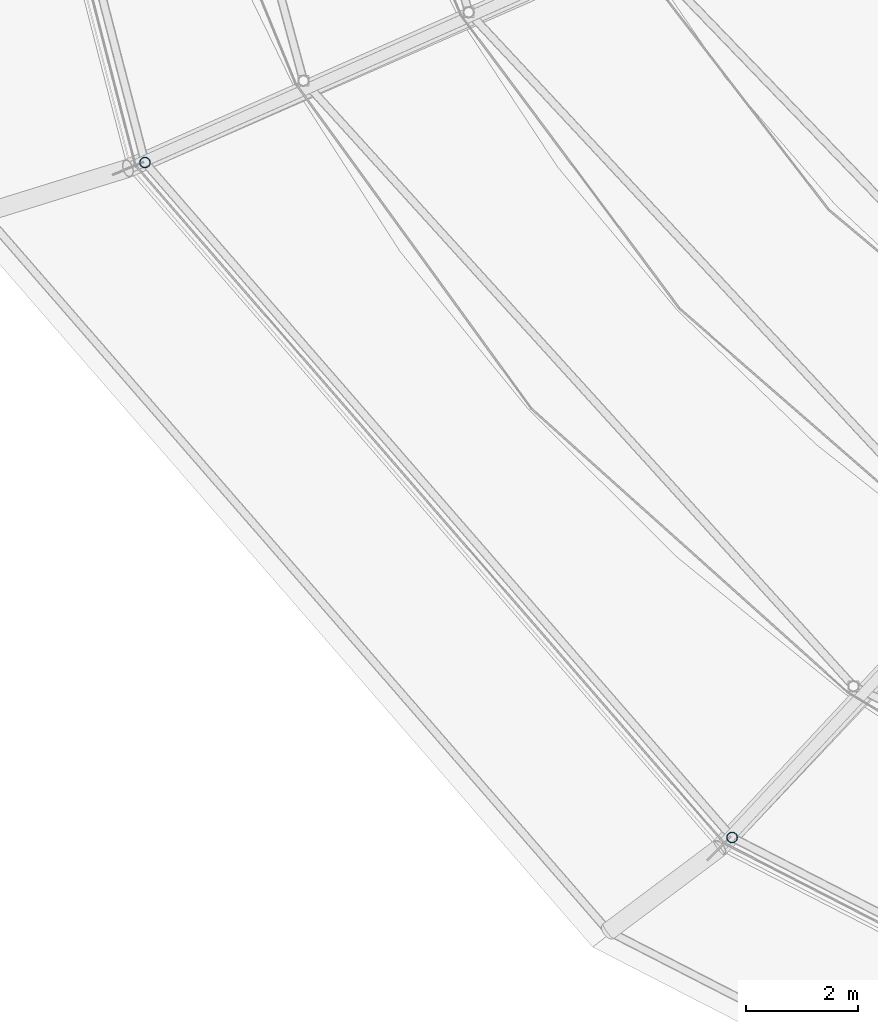
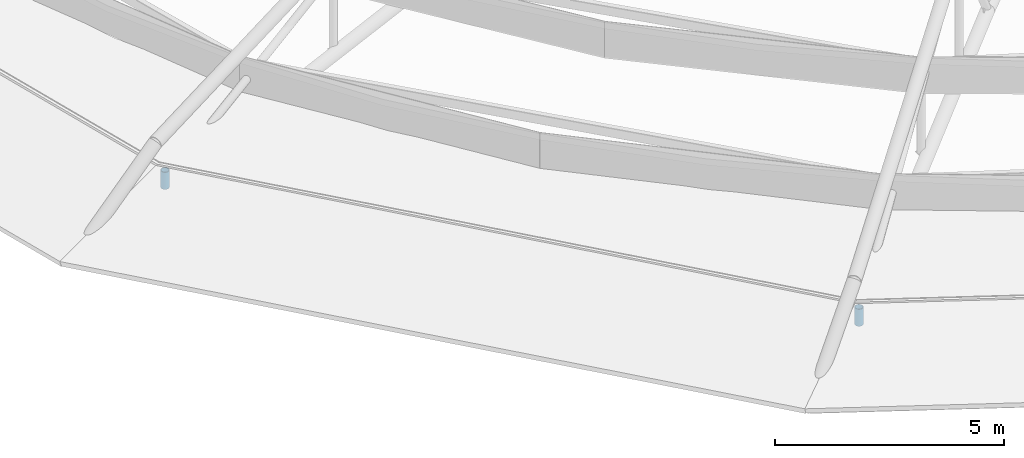
# One storey, part 94 of 134: 2 members.
"""IFC4 building model written with IfcOpenShell, lengths in metres."""

from ifc_helpers import new_model, si_unit, derived_unit, direction, frame, origin, origin_2d, place, context, subcontext, project, spatial, hollow_circle, extrude, material, material_profile, profile_set, type_object, element, save


model = new_model("IFC4")

# Units and contexts
model_context = context("Model", 3, precision=1e-05, world=origin(), true_north=direction((0.0, 1.0)))
body_context = subcontext(model_context, "Body", "Model", "MODEL_VIEW")
ifc_project = project(units=[si_unit("LENGTHUNIT", "METRE"), si_unit("AREAUNIT", "SQUARE_METRE"), si_unit("VOLUMEUNIT", "CUBIC_METRE"), si_unit("PLANEANGLEUNIT", "RADIAN"), si_unit("MASSUNIT", "GRAM", prefix="KILO"), derived_unit("THERMALTRANSMITTANCEUNIT", [(si_unit("MASSUNIT", "GRAM", prefix="KILO"), 1), (si_unit("TIMEUNIT", "SECOND"), -3), (si_unit("THERMODYNAMICTEMPERATUREUNIT", "KELVIN"), -1)])], contexts=[model_context])

# Site, building, storey
site_placement = place(None, origin())
site = spatial("IfcSite", under=ifc_project, at=site_placement, CompositionType="ELEMENT")
building_placement = place(site_placement, origin())
building = spatial("IfcBuilding", under=site, at=building_placement, Name="Kharveza Railside Sports Centre", CompositionType="ELEMENT")
storey_placement = place(building_placement, frame((0.0, 0.0, 12.89990234375)))
storey = spatial("IfcBuildingStorey", under=building, at=storey_placement, Name="L03", CompositionType="ELEMENT", Elevation=12.89990234375)

# Members
ifc_material = material(Name="Steel S355J2", Category="steel")
ifc_material_profile = material_profile(ifc_material, hollow_circle(Radius=0.096923828125, WallThickness=0.010009765625, at=origin_2d()), Name="CHS 193.7x10.0")
ifc_profile_set = profile_set([ifc_material_profile], Name="Steel S355J2")
member_type = type_object("IfcMemberType", Name="MB-ST02", PredefinedType="STRUT", material=ifc_profile_set)
for number, where, z_axis, x_axis, name in (
    (1, (9.819580078125, 36.15380859375, -0.0498046875), (0.0, 0.0, 1.0), (1.0, 0.0, 0.0), "MB-LIDPOST-S1-10"),
    (2, (20.326416015625, 24.07666015625, -0.0498046875), (0.0, 0.0, 1.0), (1.0, 0.0, 0.0), "MB-LIDPOST-S1-11"),
):
    element("IfcMember", number, at=place(storey_placement, frame(where, z_axis=z_axis, x_axis=x_axis)), inside=storey, type_object=member_type, Name=name, PredefinedType="STRUT", context=body_context, shape_type="SweptSolid", body=[
        extrude(hollow_circle(Radius=0.096923828125, WallThickness=0.010009765625, at=origin_2d()), origin(), (0.0, 0.0, 1.0), 0.454833984375),
    ])

save(model, "model.ifc")
